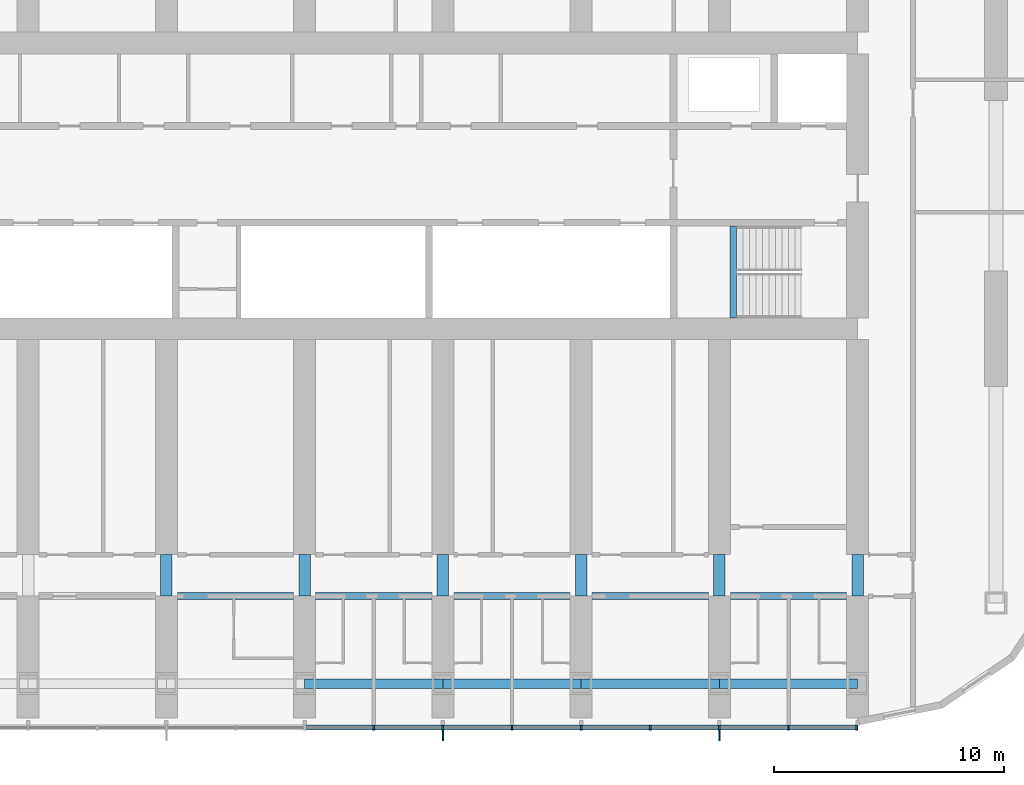
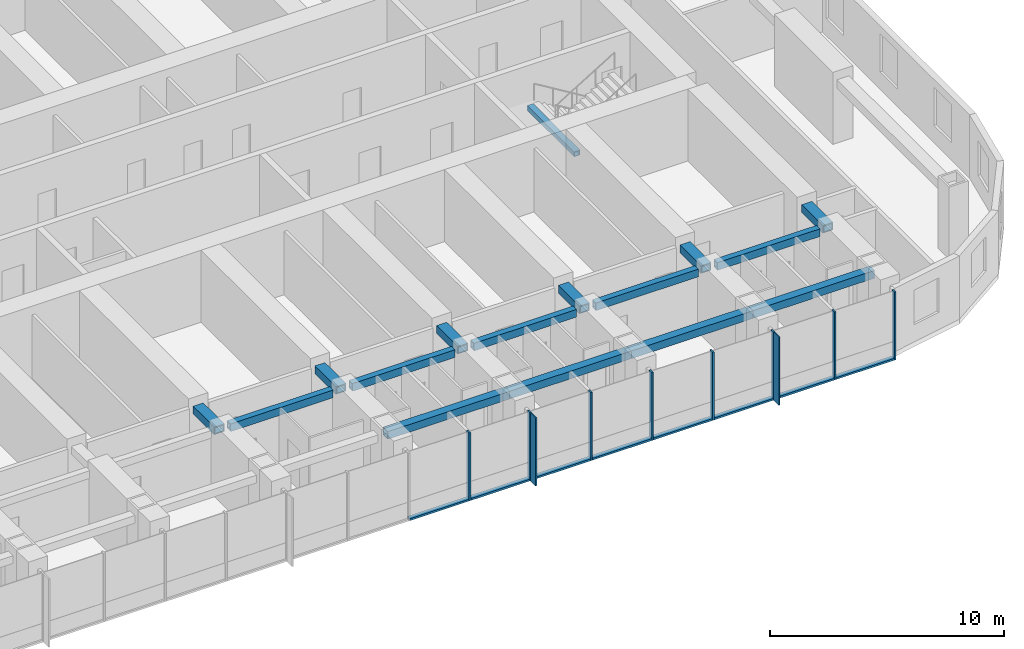
# One storey, part 3 of 21: 18 members, 16 beams, 1 element without a shape of its own.
"""IFC4 building model written with IfcOpenShell, lengths in metres."""

from ifc_helpers import new_model, si_unit, direction, frame, origin, origin_2d, place, context, subcontext, project, spatial, rectangle, hollow_rectangle, extrude, material, material_profile, profile_set, type_object, element, aggregate, save


model = new_model("IFC4")

# Units and contexts
model_context = context("Model", 3, precision=1e-05, world=origin(), true_north=direction((0.0, 1.0)))
body_context = subcontext(model_context, "Body", "Model", "MODEL_VIEW")
ifc_project = project(units=[si_unit("LENGTHUNIT", "METRE"), si_unit("AREAUNIT", "SQUARE_METRE"), si_unit("VOLUMEUNIT", "CUBIC_METRE"), si_unit("PLANEANGLEUNIT", "RADIAN"), si_unit("MASSUNIT", "GRAM", prefix="KILO")], contexts=[model_context])

# Site, building, storey
site_placement = place(None, origin())
site = spatial("IfcSite", under=ifc_project, at=site_placement, CompositionType="ELEMENT")
building_placement = place(site_placement, origin())
building = spatial("IfcBuilding", under=site, at=building_placement, Name="Orbita Commons", CompositionType="ELEMENT")
storey_placement = place(building_placement, frame((0.0, 0.0, 110.64990234375)))
storey = spatial("IfcBuildingStorey", under=building, at=storey_placement, Name="L27", CompositionType="ELEMENT", Elevation=110.64990234375)

# Curtain wall, members
ifc_material_1 = material(Name="Anodised aluminium frame, pale silver", Category="aluminium")
curtain_wall_type = type_object("IfcCurtainWallType", Name="Unitised curtain wall CW-T, vision and spandrel", PredefinedType="NOTDEFINED", material=ifc_material_1)
curtain_wall_placement = place(storey_placement, origin())
curtain_wall = element("IfcCurtainWall", 1, at=curtain_wall_placement, inside=storey, type_object=curtain_wall_type, Name="Curtain wall south L27", PredefinedType="NOTDEFINED")
ifc_material_2 = material(Name="Anodised aluminium, pale silver", Category="aluminium")
ifc_material_profile_1 = material_profile(ifc_material_2, rectangle(XDim=0.080078125, YDim=0.219970703125, at=origin_2d()), Name="AL 80x220")
ifc_profile_set_1 = profile_set([ifc_material_profile_1], Name="Anodised aluminium, pale silver")
member_type_1 = type_object("IfcMemberType", Name="Curtain wall mullion 80x220", PredefinedType="MULLION", material=ifc_profile_set_1)
member_1_placement = place(storey_placement, frame((45.0, 8.489990234375, -0.25), z_axis=(0.0, 0.0, 1.0), x_axis=(1.0, 0.0, 0.0)))
member_1 = element("IfcMember", 2, at=member_1_placement, type_object=member_type_1, Name="Mullion 12 CW-L27-S", PredefinedType="MULLION", context=body_context, shape_type="SweptSolid", body=[
    extrude(rectangle(XDim=0.080078125, YDim=0.219970703125, at=origin_2d()), origin(), (0.0, 0.0, 1.0), 3.550048828125),
])
member_2_placement = place(storey_placement, frame((48.0, 8.489990234375, -0.25), z_axis=(0.0, 0.0, 1.0), x_axis=(1.0, 0.0, 0.0)))
member_2 = element("IfcMember", 3, at=member_2_placement, type_object=member_type_1, Name="Mullion 13 CW-L27-S", PredefinedType="MULLION", context=body_context, shape_type="SweptSolid", body=[
    extrude(rectangle(XDim=0.080078125, YDim=0.219970703125, at=origin_2d()), origin(), (0.0, 0.0, 1.0), 3.550048828125),
])
member_3_placement = place(storey_placement, frame((51.0, 8.489990234375, -0.25), z_axis=(0.0, 0.0, 1.0), x_axis=(1.0, 0.0, 0.0)))
member_3 = element("IfcMember", 4, at=member_3_placement, type_object=member_type_1, Name="Mullion 14 CW-L27-S", PredefinedType="MULLION", context=body_context, shape_type="SweptSolid", body=[
    extrude(rectangle(XDim=0.080078125, YDim=0.219970703125, at=origin_2d()), origin(), (0.0, 0.0, 1.0), 3.550048828125),
])
member_4_placement = place(storey_placement, frame((54.0, 8.489990234375, -0.25), z_axis=(0.0, 0.0, 1.0), x_axis=(1.0, 0.0, 0.0)))
member_4 = element("IfcMember", 5, at=member_4_placement, type_object=member_type_1, Name="Mullion 15 CW-L27-S", PredefinedType="MULLION", context=body_context, shape_type="SweptSolid", body=[
    extrude(rectangle(XDim=0.080078125, YDim=0.219970703125, at=origin_2d()), origin(), (0.0, 0.0, 1.0), 3.550048828125),
])
member_5_placement = place(storey_placement, frame((57.0, 8.489990234375, -0.25), z_axis=(0.0, 0.0, 1.0), x_axis=(1.0, 0.0, 0.0)))
member_5 = element("IfcMember", 6, at=member_5_placement, type_object=member_type_1, Name="Mullion 16 CW-L27-S", PredefinedType="MULLION", context=body_context, shape_type="SweptSolid", body=[
    extrude(rectangle(XDim=0.080078125, YDim=0.219970703125, at=origin_2d()), origin(), (0.0, 0.0, 1.0), 3.550048828125),
])
member_6_placement = place(storey_placement, frame((60.0, 8.489990234375, -0.25), z_axis=(0.0, 0.0, 1.0), x_axis=(1.0, 0.0, 0.0)))
member_6 = element("IfcMember", 7, at=member_6_placement, type_object=member_type_1, Name="Mullion 17 CW-L27-S", PredefinedType="MULLION", context=body_context, shape_type="SweptSolid", body=[
    extrude(rectangle(XDim=0.080078125, YDim=0.219970703125, at=origin_2d()), origin(), (0.0, 0.0, 1.0), 3.550048828125),
])
member_7_placement = place(storey_placement, frame((63.0, 8.489990234375, -0.25), z_axis=(0.0, 0.0, 1.0), x_axis=(1.0, 0.0, 0.0)))
member_7 = element("IfcMember", 8, at=member_7_placement, type_object=member_type_1, Name="Mullion 18 CW-L27-S", PredefinedType="MULLION", context=body_context, shape_type="SweptSolid", body=[
    extrude(rectangle(XDim=0.080078125, YDim=0.219970703125, at=origin_2d()), origin(), (0.0, 0.0, 1.0), 3.550048828125),
])
member_8_placement = place(storey_placement, frame((65.9599609375, 8.489990234375, -0.25), z_axis=(0.0, 0.0, 1.0), x_axis=(1.0, 0.0, 0.0)))
member_8 = element("IfcMember", 9, at=member_8_placement, type_object=member_type_1, Name="Mullion 19 CW-L27-S", PredefinedType="MULLION", context=body_context, shape_type="SweptSolid", body=[
    extrude(rectangle(XDim=0.080078125, YDim=0.219970703125, at=origin_2d()), origin(), (0.0, 0.0, 1.0), 3.550048828125),
])
ifc_material_3 = material(Name="Anodised aluminium, pale silver", Category="aluminium")
ifc_material_profile_2 = material_profile(ifc_material_3, rectangle(XDim=0.219970703125, YDim=0.10009765625, at=origin_2d()), Name="AL 220x100")
ifc_profile_set_2 = profile_set([ifc_material_profile_2], Name="Anodised aluminium, pale silver")
member_type_2 = type_object("IfcMemberType", Name="Curtain wall stack transom 220x100", PredefinedType="USERDEFINED", material=ifc_profile_set_2)
member_9_placement = place(storey_placement, frame((42.0400390625, 8.489990234375, -0.199951171875), z_axis=(1.0, 0.0, 0.0), x_axis=(0.0, 1.0, 0.0)))
member_9 = element("IfcMember", 10, at=member_9_placement, type_object=member_type_2, Name="Transom 11.1 CW-L27-S", ObjectType="TRANSOM", PredefinedType="USERDEFINED", context=body_context, shape_type="SweptSolid", body=[
    extrude(rectangle(XDim=0.219970703125, YDim=0.10009765625, at=origin_2d()), origin(), (0.0, 0.0, 1.0), 2.919921875),
])
member_10_placement = place(storey_placement, frame((45.0400390625, 8.489990234375, -0.199951171875), z_axis=(1.0, 0.0, 0.0), x_axis=(0.0, 1.0, 0.0)))
member_10 = element("IfcMember", 11, at=member_10_placement, type_object=member_type_2, Name="Transom 12.1 CW-L27-S", ObjectType="TRANSOM", PredefinedType="USERDEFINED", context=body_context, shape_type="SweptSolid", body=[
    extrude(rectangle(XDim=0.219970703125, YDim=0.10009765625, at=origin_2d()), origin(), (0.0, 0.0, 1.0), 2.919921875),
])
member_11_placement = place(storey_placement, frame((48.0400390625, 8.489990234375, -0.199951171875), z_axis=(1.0, 0.0, 0.0), x_axis=(0.0, 1.0, 0.0)))
member_11 = element("IfcMember", 12, at=member_11_placement, type_object=member_type_2, Name="Transom 13.1 CW-L27-S", ObjectType="TRANSOM", PredefinedType="USERDEFINED", context=body_context, shape_type="SweptSolid", body=[
    extrude(rectangle(XDim=0.219970703125, YDim=0.10009765625, at=origin_2d()), origin(), (0.0, 0.0, 1.0), 2.919921875),
])
member_12_placement = place(storey_placement, frame((51.0400390625, 8.489990234375, -0.199951171875), z_axis=(1.0, 0.0, 0.0), x_axis=(0.0, 1.0, 0.0)))
member_12 = element("IfcMember", 13, at=member_12_placement, type_object=member_type_2, Name="Transom 14.1 CW-L27-S", ObjectType="TRANSOM", PredefinedType="USERDEFINED", context=body_context, shape_type="SweptSolid", body=[
    extrude(rectangle(XDim=0.219970703125, YDim=0.10009765625, at=origin_2d()), origin(), (0.0, 0.0, 1.0), 2.919921875),
])
member_13_placement = place(storey_placement, frame((54.0400390625, 8.489990234375, -0.199951171875), z_axis=(1.0, 0.0, 0.0), x_axis=(0.0, 1.0, 0.0)))
member_13 = element("IfcMember", 14, at=member_13_placement, type_object=member_type_2, Name="Transom 15.1 CW-L27-S", ObjectType="TRANSOM", PredefinedType="USERDEFINED", context=body_context, shape_type="SweptSolid", body=[
    extrude(rectangle(XDim=0.219970703125, YDim=0.10009765625, at=origin_2d()), origin(), (0.0, 0.0, 1.0), 2.919921875),
])
member_14_placement = place(storey_placement, frame((57.0400390625, 8.489990234375, -0.199951171875), z_axis=(1.0, 0.0, 0.0), x_axis=(0.0, 1.0, 0.0)))
member_14 = element("IfcMember", 15, at=member_14_placement, type_object=member_type_2, Name="Transom 16.1 CW-L27-S", ObjectType="TRANSOM", PredefinedType="USERDEFINED", context=body_context, shape_type="SweptSolid", body=[
    extrude(rectangle(XDim=0.219970703125, YDim=0.10009765625, at=origin_2d()), origin(), (0.0, 0.0, 1.0), 2.919921875),
])
member_15_placement = place(storey_placement, frame((60.0400390625, 8.489990234375, -0.199951171875), z_axis=(1.0, 0.0, 0.0), x_axis=(0.0, 1.0, 0.0)))
member_15 = element("IfcMember", 16, at=member_15_placement, type_object=member_type_2, Name="Transom 17.1 CW-L27-S", ObjectType="TRANSOM", PredefinedType="USERDEFINED", context=body_context, shape_type="SweptSolid", body=[
    extrude(rectangle(XDim=0.219970703125, YDim=0.10009765625, at=origin_2d()), origin(), (0.0, 0.0, 1.0), 2.919921875),
])
member_16_placement = place(storey_placement, frame((63.0400390625, 8.489990234375, -0.199951171875), z_axis=(1.0, 0.0, 0.0), x_axis=(0.0, 1.0, 0.0)))
member_16 = element("IfcMember", 17, at=member_16_placement, type_object=member_type_2, Name="Transom 18.1 CW-L27-S", ObjectType="TRANSOM", PredefinedType="USERDEFINED", context=body_context, shape_type="SweptSolid", body=[
    extrude(rectangle(XDim=0.219970703125, YDim=0.10009765625, at=origin_2d()), origin(), (0.0, 0.0, 1.0), 2.8798828125),
])

# Beams
ifc_material_4 = material(Name="Steel ASTM A572 Gr 50 welded plate", Category="steel")
ifc_material_profile_3 = material_profile(ifc_material_4, hollow_rectangle(XDim=0.300048828125, YDim=0.25, WallThickness=0.02490234375, at=origin_2d()), Name="BOX 250x300x25")
ifc_profile_set_3 = profile_set([ifc_material_profile_3], Name="Steel ASTM A572 Gr 50 welded plate")
beam_type_1 = type_object("IfcBeamType", Name="Stair landing beam steel BOX 250x300x25", PredefinedType="BEAM", material=ifc_profile_set_3)
beam_placement = place(storey_placement, frame((60.60009765625, 26.260009765625, 1.550048828125), z_axis=(0.0, 1.0, 0.0), x_axis=(-1.0, 0.0, 0.0)))
element("IfcBeam", 18, at=beam_placement, inside=storey, type_object=beam_type_1, Name="Stair S2 landing beam L27 1", PredefinedType="BEAM", context=body_context, shape_type="SweptSolid", body=[
    extrude(hollow_rectangle(XDim=0.300048828125, YDim=0.25, WallThickness=0.02490234375, at=origin_2d()), origin(), (0.0, 0.0, 1.0), 4.0048828125),
])
ifc_material_5 = material(Name="Steel ASTM A572 Gr 50 welded plate", Category="steel")
ifc_material_profile_4 = material_profile(ifc_material_5, hollow_rectangle(XDim=0.300048828125, YDim=0.39990234375, WallThickness=0.0400390625, at=origin_2d()), Name="BOX 400x300x40")
ifc_profile_set_4 = profile_set([ifc_material_profile_4], Name="Steel ASTM A572 Gr 50 welded plate")
beam_type_2 = type_object("IfcBeamType", Name="Steel corridor link BOX 400x300x40", PredefinedType="BEAM", material=ifc_profile_set_4)
for number, where, z_axis, x_axis, name in (
    (19, (36.47509765625, 14.199951171875, 3.10009765625), (1.0, 0.0, 0.0), (0.0, 1.0, 0.0), "Corridor beam SA 7-8 L27"),
    (20, (42.47509765625, 14.199951171875, 3.10009765625), (1.0, 0.0, 0.0), (0.0, 1.0, 0.0), "Corridor beam SA 8-9 L27"),
    (21, (48.47509765625, 14.199951171875, 3.10009765625), (1.0, 0.0, 0.0), (0.0, 1.0, 0.0), "Corridor beam SA 9-10 L27"),
    (22, (54.47509765625, 14.199951171875, 3.10009765625), (1.0, 0.0, 0.0), (0.0, 1.0, 0.0), "Corridor beam SA 10-11 L27"),
    (23, (60.47509765625, 14.199951171875, 3.10009765625), (1.0, 0.0, 0.0), (0.0, 1.0, 0.0), "Corridor beam SA 11-12 L27"),
):
    element("IfcBeam", number, at=place(storey_placement, frame(where, z_axis=z_axis, x_axis=x_axis)), inside=storey, type_object=beam_type_2, Name=name, PredefinedType="BEAM", context=body_context, shape_type="SweptSolid", body=[
        extrude(hollow_rectangle(XDim=0.300048828125, YDim=0.39990234375, WallThickness=0.0400390625, at=origin_2d()), origin(), (0.0, 0.0, 1.0), 5.0498046875),
    ])
ifc_material_6 = material(Name="Steel ASTM A572 Gr 50 welded plate", Category="steel")
ifc_material_profile_5 = material_profile(ifc_material_6, hollow_rectangle(XDim=0.5, YDim=0.39990234375, WallThickness=0.050048828125, at=origin_2d()), Name="BOX 400x500x50")
ifc_profile_set_5 = profile_set([ifc_material_profile_5], Name="Steel ASTM A572 Gr 50 welded plate")
beam_type_3 = type_object("IfcBeamType", Name="Steel coupling link BOX 400x500x50", PredefinedType="LINTEL", material=ifc_profile_set_5)
for number, where, z_axis, x_axis, name in (
    (24, (36.0, 14.199951171875, 3.10009765625), (0.0, 1.0, 0.0), (-1.0, 0.0, 0.0), "Coupling beam 7 south L27"),
    (25, (42.0, 14.199951171875, 3.10009765625), (0.0, 1.0, 0.0), (-1.0, 0.0, 0.0), "Coupling beam 8 south L27"),
    (26, (48.0, 14.199951171875, 3.10009765625), (0.0, 1.0, 0.0), (-1.0, 0.0, 0.0), "Coupling beam 9 south L27"),
    (27, (54.0, 14.199951171875, 3.10009765625), (0.0, 1.0, 0.0), (-1.0, 0.0, 0.0), "Coupling beam 10 south L27"),
    (28, (60.0, 14.199951171875, 3.10009765625), (0.0, 1.0, 0.0), (-1.0, 0.0, 0.0), "Coupling beam 11 south L27"),
    (29, (66.0, 14.199951171875, 3.10009765625), (0.0, 1.0, 0.0), (-1.0, 0.0, 0.0), "Coupling beam 12 south L27"),
):
    element("IfcBeam", number, at=place(storey_placement, frame(where, z_axis=z_axis, x_axis=x_axis)), inside=storey, type_object=beam_type_3, Name=name, PredefinedType="LINTEL", context=body_context, shape_type="SweptSolid", body=[
        extrude(hollow_rectangle(XDim=0.5, YDim=0.39990234375, WallThickness=0.050048828125, at=origin_2d()), origin(), (0.0, 0.0, 1.0), 1.800048828125),
    ])
ifc_material_7 = material(Name="Steel ASTM A572 Gr 50 welded plate", Category="steel")
ifc_material_profile_6 = material_profile(ifc_material_7, hollow_rectangle(XDim=0.39990234375, YDim=0.39990234375, WallThickness=0.0400390625, at=origin_2d()), Name="BOX 400x400x40")
ifc_profile_set_6 = profile_set([ifc_material_profile_6], Name="Steel ASTM A572 Gr 50 welded plate")
beam_type_4 = type_object("IfcBeamType", Name="Steel spandrel BOX 400x400x40", PredefinedType="SPANDREL", material=ifc_profile_set_6)
for number, where, z_axis, x_axis, name in (
    (30, (42.0, 10.39990234375, 3.10009765625), (1.0, 0.0, 0.0), (0.0, 1.0, 0.0), "Spandrel beam B 8-9 L27"),
    (31, (48.0, 10.39990234375, 3.10009765625), (1.0, 0.0, 0.0), (0.0, 1.0, 0.0), "Spandrel beam B 9-10 L27"),
    (32, (54.0, 10.39990234375, 3.10009765625), (1.0, 0.0, 0.0), (0.0, 1.0, 0.0), "Spandrel beam B 10-11 L27"),
    (33, (60.0, 10.39990234375, 3.10009765625), (1.0, 0.0, 0.0), (0.0, 1.0, 0.0), "Spandrel beam B 11-12 L27"),
):
    element("IfcBeam", number, at=place(storey_placement, frame(where, z_axis=z_axis, x_axis=x_axis)), inside=storey, type_object=beam_type_4, Name=name, PredefinedType="SPANDREL", context=body_context, shape_type="SweptSolid", body=[
        extrude(hollow_rectangle(XDim=0.39990234375, YDim=0.39990234375, WallThickness=0.0400390625, at=origin_2d()), origin(), (0.0, 0.0, 1.0), 6.0),
    ])

# Member
ifc_material_8 = material(Name="Anodised aluminium, pale silver", Category="aluminium")
ifc_material_profile_7 = material_profile(ifc_material_8, rectangle(XDim=0.06005859375, YDim=0.449951171875, at=origin_2d()), Name="FIN 60x450")
ifc_profile_set_7 = profile_set([ifc_material_profile_7], Name="Anodised aluminium, pale silver")
member_type_3 = type_object("IfcMemberType", Name="Vertical fin 60x450 pale aluminium", PredefinedType="USERDEFINED", material=ifc_profile_set_7)
member_17_placement = place(storey_placement, frame((48.0, 8.155029296875, -0.25), z_axis=(0.0, 0.0, 1.0), x_axis=(1.0, 0.0, 0.0)))
member_17 = element("IfcMember", 34, at=member_17_placement, type_object=member_type_3, Name="Fin 13 CW-L27-S", ObjectType="FIN", PredefinedType="USERDEFINED", context=body_context, shape_type="SweptSolid", body=[
    extrude(rectangle(XDim=0.06005859375, YDim=0.449951171875, at=origin_2d()), origin(), (0.0, 0.0, 1.0), 3.550048828125),
])

member_18_placement = place(storey_placement, frame((60.0, 8.155029296875, -0.25), z_axis=(0.0, 0.0, 1.0), x_axis=(1.0, 0.0, 0.0)))
member_18 = element("IfcMember", 35, at=member_18_placement, type_object=member_type_3, Name="Fin 17 CW-L27-S", ObjectType="FIN", PredefinedType="USERDEFINED", context=body_context, shape_type="SweptSolid", body=[
    extrude(rectangle(XDim=0.06005859375, YDim=0.449951171875, at=origin_2d()), origin(), (0.0, 0.0, 1.0), 3.550048828125),
])

aggregate(curtain_wall, [member_1, member_2, member_17, member_3, member_4, member_5, member_6, member_18, member_7, member_8, member_9, member_10, member_11, member_12, member_13, member_14, member_15, member_16])

save(model, "model.ifc")
